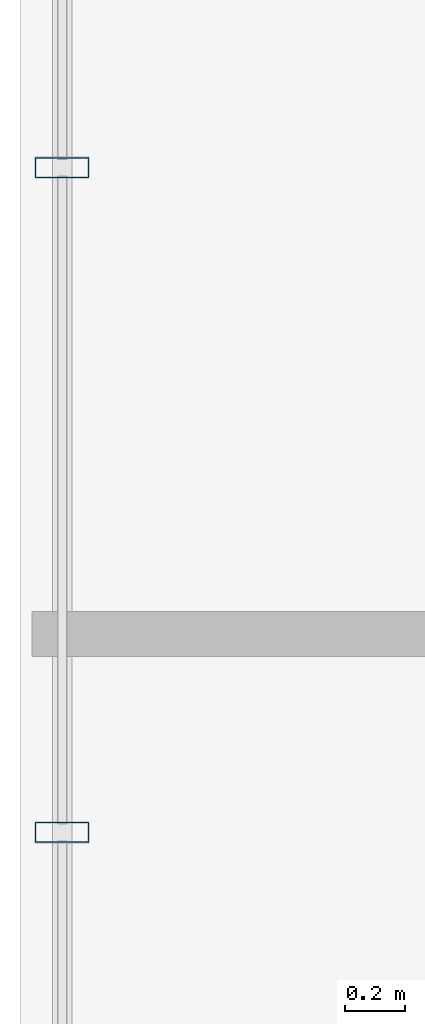
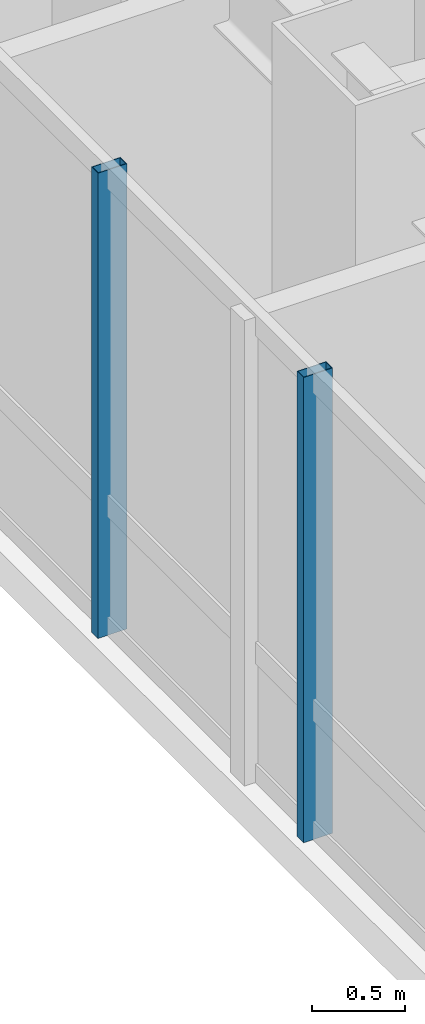
# One storey, part 19 of 36: 2 members, 1 element without a shape of its own.
"""IFC4 building model written with IfcOpenShell, lengths in metres."""

from ifc_helpers import new_model, si_unit, direction, frame, origin, origin_2d, place, context, subcontext, project, spatial, hollow_rectangle, extrude, material, layer, layer_set, material_profile, profile_set, type_object, element, aggregate, save


model = new_model("IFC4")

# Units and contexts
model_context = context("Model", 3, precision=1e-05, world=origin(), true_north=direction((0.0, 1.0)))
body_context = subcontext(model_context, "Body", "Model", "MODEL_VIEW")
ifc_project = project(units=[si_unit("LENGTHUNIT", "METRE"), si_unit("AREAUNIT", "SQUARE_METRE"), si_unit("VOLUMEUNIT", "CUBIC_METRE"), si_unit("PLANEANGLEUNIT", "RADIAN"), si_unit("MASSUNIT", "GRAM", prefix="KILO")], contexts=[model_context])

# Site, building, storey
site_placement = place(None, origin())
site = spatial("IfcSite", under=ifc_project, at=site_placement, CompositionType="ELEMENT")
building_placement = place(site_placement, origin())
building = spatial("IfcBuilding", under=site, at=building_placement, Name="Hatsunagi Terrace Concourse", CompositionType="ELEMENT")
storey_placement = place(building_placement, frame((0.0, 0.0, 88.0)))
storey = spatial("IfcBuildingStorey", under=building, at=storey_placement, Name="L23", CompositionType="ELEMENT", Elevation=88.0)

# Curtain wall, members
ifc_material_1 = material(Name="Anodised Aluminium Alloy 6063-T5", Category="aluminium")
ifc_layer = layer(ifc_material_1, 0.199951171875)
ifc_layer_set = layer_set([ifc_layer], Name="HotelFacade_CW02")
curtain_wall_type = type_object("IfcCurtainWallType", Name="HotelFacade_CW02", PredefinedType="NOTDEFINED", material=ifc_layer_set)
curtain_wall_placement = place(storey_placement, origin())
curtain_wall = element("IfcCurtainWall", 1, at=curtain_wall_placement, inside=storey, type_object=curtain_wall_type, Name="Unitised Curtain Wall CW-02 CW-L23-09", PredefinedType="NOTDEFINED")
ifc_material_2 = material(Name="Anodised Aluminium Alloy 6063-T5", Category="aluminium")
ifc_material_profile = material_profile(ifc_material_2, hollow_rectangle(XDim=0.070068359375, YDim=0.179931640625, WallThickness=0.00390625, at=origin_2d()), Name="ALU-MUL-180x70x4")
ifc_profile_set = profile_set([ifc_material_profile], Name="Anodised Aluminium Alloy 6063-T5")
member_type = type_object("IfcMemberType", Name="CurtainWallMullion_180x70", PredefinedType="MULLION", material=ifc_profile_set)
member_1_placement = place(storey_placement, frame((9.739990234375, 34.69189453125, 0.0), z_axis=(0.0, 0.0, 1.0), x_axis=(0.0, 1.0, 0.0)))
member_1 = element("IfcMember", 2, at=member_1_placement, type_object=member_type, Name="Curtain Wall Mullion MUL-02", PredefinedType="MULLION", context=body_context, shape_type="SweptSolid", body=[
    extrude(hollow_rectangle(XDim=0.070068359375, YDim=0.179931640625, WallThickness=0.00390625, at=origin_2d()), origin(), (0.0, 0.0, 1.0), 3.050048828125),
])
member_2_placement = place(storey_placement, frame((9.739990234375, 36.89990234375, 0.0), z_axis=(0.0, 0.0, 1.0), x_axis=(0.0, 1.0, 0.0)))
member_2 = element("IfcMember", 3, at=member_2_placement, type_object=member_type, Name="Curtain Wall Mullion MUL-02", PredefinedType="MULLION", context=body_context, shape_type="SweptSolid", body=[
    extrude(hollow_rectangle(XDim=0.070068359375, YDim=0.179931640625, WallThickness=0.00390625, at=origin_2d()), origin(), (0.0, 0.0, 1.0), 3.050048828125),
])
aggregate(curtain_wall, [member_1, member_2])

save(model, "model.ifc")
